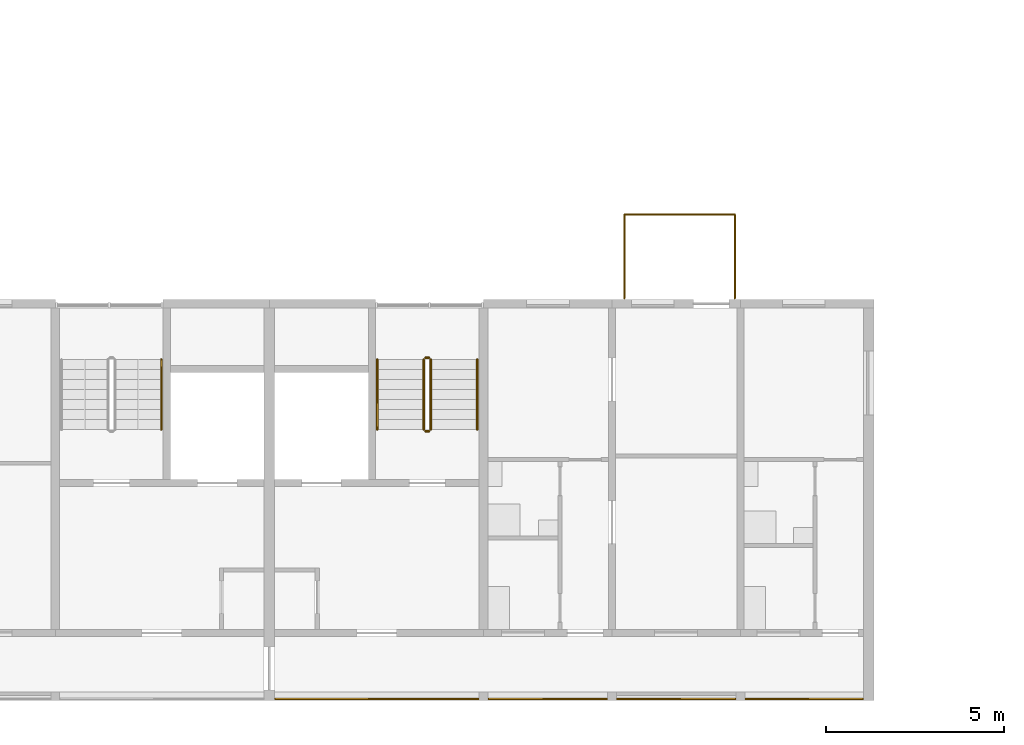
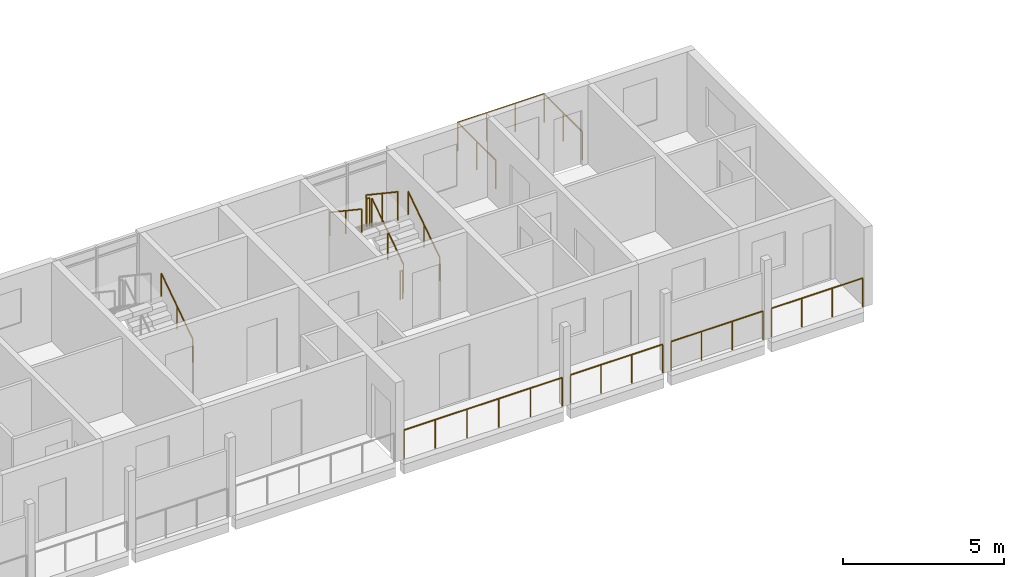
# One storey, part 80 of 94: 12 railings.
"""IFC4 building model written with IfcOpenShell, lengths in metres."""

from ifc_helpers import new_model, si_unit, direction, frame, origin, origin_2d, place, context, subcontext, project, spatial, circle, extrude, material, type_object, element, save


model = new_model("IFC4")

# Units and contexts
model_context = context("Model", 3, precision=1e-05, world=origin(), true_north=direction((0.0, 1.0)))
body_context = subcontext(model_context, "Body", "Model", "MODEL_VIEW")
ifc_project = project(units=[si_unit("LENGTHUNIT", "METRE"), si_unit("AREAUNIT", "SQUARE_METRE"), si_unit("VOLUMEUNIT", "CUBIC_METRE"), si_unit("PLANEANGLEUNIT", "RADIAN"), si_unit("MASSUNIT", "GRAM", prefix="KILO")], contexts=[model_context])

# Site, building, storey
site_placement = place(None, origin())
site = spatial("IfcSite", under=ifc_project, at=site_placement, CompositionType="ELEMENT")
building_placement = place(site_placement, origin())
building = spatial("IfcBuilding", under=site, at=building_placement, Name="Ridgestep Commons", CompositionType="ELEMENT")
storey_placement = place(building_placement, frame((0.0, 0.0, 24.0)))
storey = spatial("IfcBuildingStorey", under=building, at=storey_placement, Name="L08", CompositionType="ELEMENT", Elevation=24.0)

# Railings
ifc_material_1 = material(Name="Structural steel S355JR", Category="steel")
railing_type_1 = type_object("IfcRailingType", Name="Guard 1100", PredefinedType="GUARDRAIL", material=ifc_material_1)
railing_1_placement = place(storey_placement, frame((96.1708984375, 11.800048828125, 0.0)))
element("IfcRailing", 1, at=railing_1_placement, inside=storey, type_object=railing_type_1, Name="Gallery guard A 08.21", PredefinedType="GUARDRAIL", context=body_context, shape_type="SweptSolid", body=[
    extrude(circle(Radius=0.02392578125, at=origin_2d()), frame((0.0, 0.0, 1.076171875), z_axis=(1.0, 0.0, 0.0), x_axis=(0.0, 1.0, 0.0)), (0.0, 0.0, 1.0), 5.68310546875),
    extrude(circle(Radius=0.02099609375, at=origin_2d()), origin(), (0.0, 0.0, 1.0), 1.052001953125),
    extrude(circle(Radius=0.02099609375, at=origin_2d()), frame((1.13671875, 0.0, 0.0)), (0.0, 0.0, 1.0), 1.052001953125),
    extrude(circle(Radius=0.02099609375, at=origin_2d()), frame((2.273193359375, 0.0, 0.0)), (0.0, 0.0, 1.0), 1.052001953125),
    extrude(circle(Radius=0.02099609375, at=origin_2d()), frame((3.409912109375, 0.0, 0.0)), (0.0, 0.0, 1.0), 1.052001953125),
    extrude(circle(Radius=0.02099609375, at=origin_2d()), frame((4.54638671875, 0.0, 0.0)), (0.0, 0.0, 1.0), 1.052001953125),
    extrude(circle(Radius=0.02099609375, at=origin_2d()), frame((5.68310546875, 0.0, 0.0)), (0.0, 0.0, 1.0), 1.052001953125),
])
railing_2_placement = place(storey_placement, frame((102.14599609375, 11.800048828125, 0.0)))
element("IfcRailing", 2, at=railing_2_placement, inside=storey, type_object=railing_type_1, Name="Gallery guard A 08.22", PredefinedType="GUARDRAIL", context=body_context, shape_type="SweptSolid", body=[
    extrude(circle(Radius=0.02392578125, at=origin_2d()), frame((0.0, 0.0, 1.076171875), z_axis=(1.0, 0.0, 0.0), x_axis=(0.0, 1.0, 0.0)), (0.0, 0.0, 1.0), 3.30810546875),
    extrude(circle(Radius=0.02099609375, at=origin_2d()), origin(), (0.0, 0.0, 1.0), 1.052001953125),
    extrude(circle(Radius=0.02099609375, at=origin_2d()), frame((1.102783203125, 0.0, 0.0)), (0.0, 0.0, 1.0), 1.052001953125),
    extrude(circle(Radius=0.02099609375, at=origin_2d()), frame((2.205322265625, 0.0, 0.0)), (0.0, 0.0, 1.0), 1.052001953125),
    extrude(circle(Radius=0.02099609375, at=origin_2d()), frame((3.30810546875, 0.0, 0.0)), (0.0, 0.0, 1.0), 1.052001953125),
])
railing_3_placement = place(storey_placement, frame((105.74609375, 11.800048828125, 0.0)))
element("IfcRailing", 3, at=railing_3_placement, inside=storey, type_object=railing_type_1, Name="Gallery guard A 08.23", PredefinedType="GUARDRAIL", context=body_context, shape_type="SweptSolid", body=[
    extrude(circle(Radius=0.02392578125, at=origin_2d()), frame((0.0, 0.0, 1.076171875), z_axis=(1.0, 0.0, 0.0), x_axis=(0.0, 1.0, 0.0)), (0.0, 0.0, 1.0), 3.307861328125),
    extrude(circle(Radius=0.02099609375, at=origin_2d()), origin(), (0.0, 0.0, 1.0), 1.052001953125),
    extrude(circle(Radius=0.02099609375, at=origin_2d()), frame((1.1025390625, 0.0, 0.0)), (0.0, 0.0, 1.0), 1.052001953125),
    extrude(circle(Radius=0.02099609375, at=origin_2d()), frame((2.205322265625, 0.0, 0.0)), (0.0, 0.0, 1.0), 1.052001953125),
    extrude(circle(Radius=0.02099609375, at=origin_2d()), frame((3.307861328125, 0.0, 0.0)), (0.0, 0.0, 1.0), 1.052001953125),
])
railing_4_placement = place(storey_placement, frame((109.345947265625, 11.800048828125, 0.0)))
element("IfcRailing", 4, at=railing_4_placement, inside=storey, type_object=railing_type_1, Name="Gallery guard A 08.24", PredefinedType="GUARDRAIL", context=body_context, shape_type="SweptSolid", body=[
    extrude(circle(Radius=0.02392578125, at=origin_2d()), frame((0.0, 0.0, 1.076171875), z_axis=(1.0, 0.0, 0.0), x_axis=(0.0, 1.0, 0.0)), (0.0, 0.0, 1.0), 3.282958984375),
    extrude(circle(Radius=0.02099609375, at=origin_2d()), origin(), (0.0, 0.0, 1.0), 1.052001953125),
    extrude(circle(Radius=0.02099609375, at=origin_2d()), frame((1.09423828125, 0.0, 0.0)), (0.0, 0.0, 1.0), 1.052001953125),
    extrude(circle(Radius=0.02099609375, at=origin_2d()), frame((2.188720703125, 0.0, 0.0)), (0.0, 0.0, 1.0), 1.052001953125),
    extrude(circle(Radius=0.02099609375, at=origin_2d()), frame((3.282958984375, 0.0, 0.0)), (0.0, 0.0, 1.0), 1.052001953125),
])
ifc_material_2 = material(Name="Structural steel S355JR", Category="steel")
railing_type_2 = type_object("IfcRailingType", Name="Stair guard 1100", PredefinedType="GUARDRAIL", material=ifc_material_2)
railing_5_placement = place(storey_placement, frame((100.52490234375, 19.35009765625, 0.1875)))
element("IfcRailing", 5, at=railing_5_placement, inside=storey, type_object=railing_type_2, Name="L08 A6C stair guard 1", PredefinedType="GUARDRAIL", context=body_context, shape_type="SweptSolid", body=[
    extrude(circle(Radius=0.02392578125, at=origin_2d()), frame((0.0, 0.0, 1.076171875), z_axis=(0.0, 0.830902050051, 0.556418712142), x_axis=(-1.0, 0.0, 0.0)), (0.0, 0.0, 1.0), 2.35888671875),
    extrude(circle(Radius=0.02099609375, at=origin_2d()), origin(), (0.0, 0.0, 1.0), 1.052001953125),
    extrude(circle(Radius=0.02099609375, at=origin_2d()), frame((0.0, 0.97998046875, 0.65625)), (0.0, 0.0, 1.0), 1.052001953125),
    extrude(circle(Radius=0.02099609375, at=origin_2d()), frame((0.0, 1.9599609375, 1.3125)), (0.0, 0.0, 1.0), 1.052001953125),
])
railing_6_placement = place(storey_placement, frame((100.47509765625, 21.360107421875, 1.5)))
element("IfcRailing", 6, at=railing_6_placement, inside=storey, type_object=railing_type_2, Name="L08 A6C stair guard 2", PredefinedType="GUARDRAIL", context=body_context, shape_type="SweptSolid", body=[
    extrude(circle(Radius=0.02392578125, at=origin_2d()), frame((0.0, 0.0, 1.076171875), z_axis=(-1.0, 0.0, 0.0), x_axis=(0.0, -1.0, 0.0)), (0.0, 0.0, 1.0), 0.10009765625),
    extrude(circle(Radius=0.02099609375, at=origin_2d()), origin(), (0.0, 0.0, 1.0), 1.052001953125),
    extrude(circle(Radius=0.02099609375, at=origin_2d()), frame((-0.10009765625, 0.0, 0.0)), (0.0, 0.0, 1.0), 1.052001953125),
])
railing_7_placement = place(storey_placement, frame((100.324951171875, 21.31005859375, 1.6875)))
element("IfcRailing", 7, at=railing_7_placement, inside=storey, type_object=railing_type_2, Name="L08 A6C stair guard 3", PredefinedType="GUARDRAIL", context=body_context, shape_type="SweptSolid", body=[
    extrude(circle(Radius=0.02392578125, at=origin_2d()), frame((0.0, 0.0, 1.076171875), z_axis=(0.0, -0.830902050051, 0.556418712142), x_axis=(1.0, 0.0, 0.0)), (0.0, 0.0, 1.0), 2.35888671875),
    extrude(circle(Radius=0.02099609375, at=origin_2d()), origin(), (0.0, 0.0, 1.0), 1.052001953125),
    extrude(circle(Radius=0.02099609375, at=origin_2d()), frame((0.0, -0.97998046875, 0.65625)), (0.0, 0.0, 1.0), 1.052001953125),
    extrude(circle(Radius=0.02099609375, at=origin_2d()), frame((0.0, -1.9599609375, 1.3125)), (0.0, 0.0, 1.0), 1.052001953125),
])
railing_8_placement = place(storey_placement, frame((100.47509765625, 19.300048828125, 0.0)))
element("IfcRailing", 8, at=railing_8_placement, inside=storey, type_object=railing_type_2, Name="L08 A6C stair guard 4", PredefinedType="GUARDRAIL", context=body_context, shape_type="SweptSolid", body=[
    extrude(circle(Radius=0.02392578125, at=origin_2d()), frame((0.0, 0.0, 1.076171875), z_axis=(-1.0, 0.0, 0.0), x_axis=(0.0, -1.0, 0.0)), (0.0, 0.0, 1.0), 0.10009765625),
    extrude(circle(Radius=0.02099609375, at=origin_2d()), origin(), (0.0, 0.0, 1.0), 1.052001953125),
    extrude(circle(Radius=0.02099609375, at=origin_2d()), frame((-0.10009765625, 0.0, 0.0)), (0.0, 0.0, 1.0), 1.052001953125),
])
ifc_material_3 = material(Name="Structural steel S355JR", Category="steel")
railing_type_3 = type_object("IfcRailingType", Name="Stair handrail 900", PredefinedType="HANDRAIL", material=ifc_material_3)
for number, where, name in (
    (9, (92.97509765625, 19.35009765625, 0.1875), "L08 A5C stair handrail 1"),
    (10, (101.824951171875, 19.35009765625, 0.1875), "L08 A6C stair handrail 1"),
):
    element("IfcRailing", number, at=place(storey_placement, frame(where)), inside=storey, type_object=railing_type_3, Name=name, PredefinedType="HANDRAIL", context=body_context, shape_type="SweptSolid", body=[
        extrude(circle(Radius=0.02392578125, at=origin_2d()), frame((0.0, 0.0, 0.8759765625), z_axis=(0.0, 0.830902050051, 0.556418712142), x_axis=(-1.0, 0.0, 0.0)), (0.0, 0.0, 1.0), 2.35888671875),
        extrude(circle(Radius=0.02099609375, at=origin_2d()), origin(), (0.0, 0.0, 1.0), 0.851806640625),
        extrude(circle(Radius=0.02099609375, at=origin_2d()), frame((0.0, 0.97998046875, 0.65625)), (0.0, 0.0, 1.0), 0.851806640625),
        extrude(circle(Radius=0.02099609375, at=origin_2d()), frame((0.0, 1.9599609375, 1.3125)), (0.0, 0.0, 1.0), 0.851806640625),
    ])
railing_9_placement = place(storey_placement, frame((99.02490234375, 21.31005859375, 1.6875)))
element("IfcRailing", 11, at=railing_9_placement, inside=storey, type_object=railing_type_3, Name="L08 A6C stair handrail 2", PredefinedType="HANDRAIL", context=body_context, shape_type="SweptSolid", body=[
    extrude(circle(Radius=0.02392578125, at=origin_2d()), frame((0.0, 0.0, 0.8759765625), z_axis=(0.0, -0.830902050051, 0.556418712142), x_axis=(1.0, 0.0, 0.0)), (0.0, 0.0, 1.0), 2.35888671875),
    extrude(circle(Radius=0.02099609375, at=origin_2d()), origin(), (0.0, 0.0, 1.0), 0.851806640625),
    extrude(circle(Radius=0.02099609375, at=origin_2d()), frame((0.0, -0.97998046875, 0.65625)), (0.0, 0.0, 1.0), 0.851806640625),
    extrude(circle(Radius=0.02099609375, at=origin_2d()), frame((0.0, -1.9599609375, 1.3125)), (0.0, 0.0, 1.0), 0.851806640625),
])
ifc_material_4 = material(Name="Weathering steel S355J2W", Category="steel")
railing_type_4 = type_object("IfcRailingType", Name="Tray guard 1100", PredefinedType="GUARDRAIL", material=ifc_material_4)
railing_10_placement = place(storey_placement, frame((105.950927734375, 23.02099609375, 0.0)))
element("IfcRailing", 12, at=railing_10_placement, inside=storey, type_object=railing_type_4, Name="Tray guard A6T2-08", PredefinedType="GUARDRAIL", context=body_context, shape_type="SweptSolid", body=[
    extrude(circle(Radius=0.02392578125, at=origin_2d()), frame((0.0, 0.0, 1.076171875), z_axis=(0.0, 1.0, 0.0), x_axis=(-1.0, 0.0, 0.0)), (0.0, 0.0, 1.0), 2.35791015625),
    extrude(circle(Radius=0.02392578125, at=origin_2d()), frame((0.0, 2.35791015625, 1.076171875), z_axis=(1.0, 0.0, 0.0), x_axis=(0.0, 1.0, 0.0)), (0.0, 0.0, 1.0), 3.09814453125),
    extrude(circle(Radius=0.02392578125, at=origin_2d()), frame((3.09814453125, 2.35791015625, 1.076171875), z_axis=(0.0, -1.0, 0.0), x_axis=(1.0, 0.0, 0.0)), (0.0, 0.0, 1.0), 2.35791015625),
    extrude(circle(Radius=0.02099609375, at=origin_2d()), origin(), (0.0, 0.0, 1.0), 1.052001953125),
    extrude(circle(Radius=0.02099609375, at=origin_2d()), frame((0.0, 1.178955078125, 0.0)), (0.0, 0.0, 1.0), 1.052001953125),
    extrude(circle(Radius=0.02099609375, at=origin_2d()), frame((0.0, 2.35791015625, 0.0)), (0.0, 0.0, 1.0), 1.052001953125),
    extrude(circle(Radius=0.02099609375, at=origin_2d()), frame((1.03271484375, 2.35791015625, 0.0)), (0.0, 0.0, 1.0), 1.052001953125),
    extrude(circle(Radius=0.02099609375, at=origin_2d()), frame((2.0654296875, 2.35791015625, 0.0)), (0.0, 0.0, 1.0), 1.052001953125),
    extrude(circle(Radius=0.02099609375, at=origin_2d()), frame((3.09814453125, 2.35791015625, 0.0)), (0.0, 0.0, 1.0), 1.052001953125),
    extrude(circle(Radius=0.02099609375, at=origin_2d()), frame((3.09814453125, 1.178955078125, 0.0)), (0.0, 0.0, 1.0), 1.052001953125),
    extrude(circle(Radius=0.02099609375, at=origin_2d()), frame((3.09814453125, 0.0, 0.0)), (0.0, 0.0, 1.0), 1.052001953125),
])

save(model, "model.ifc")
